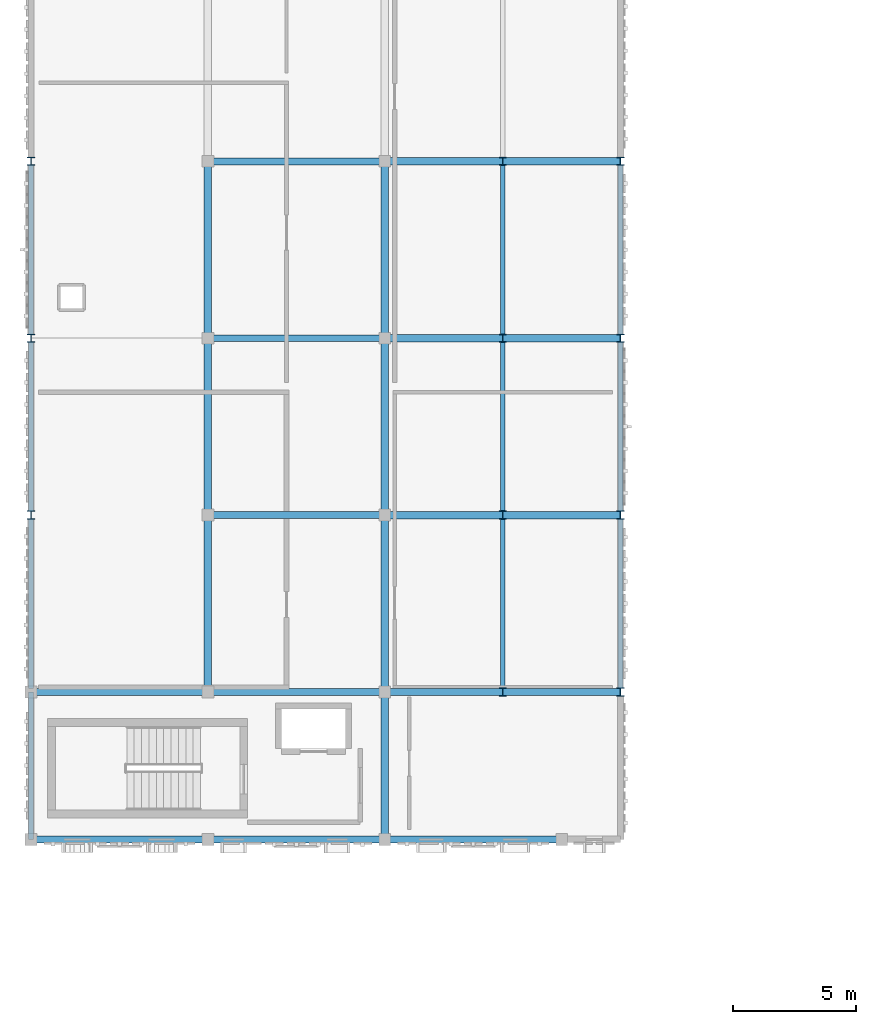
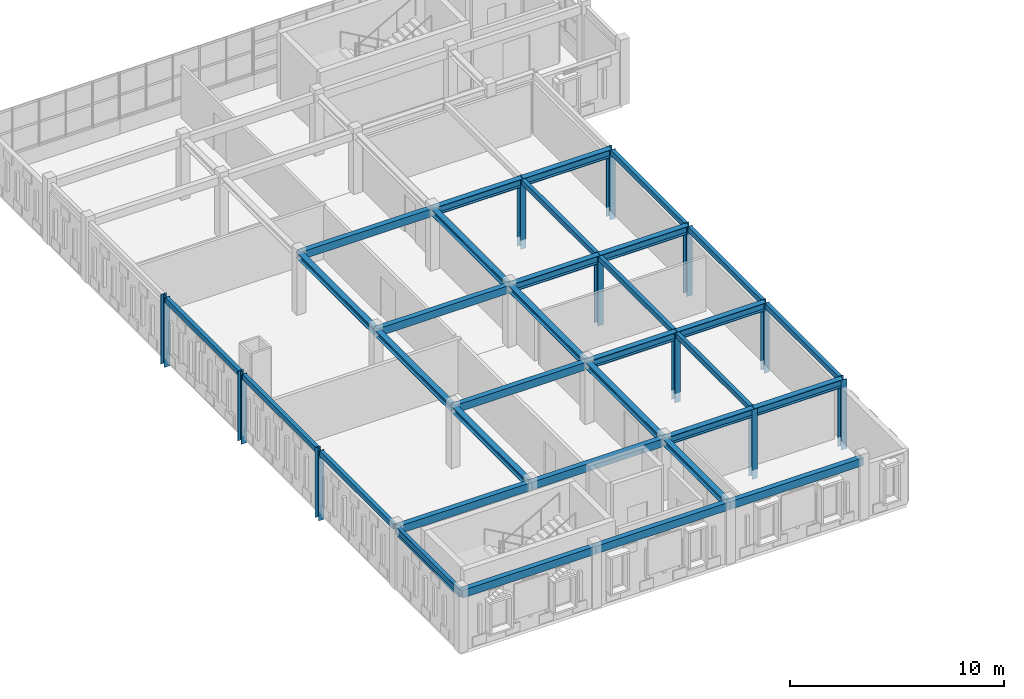
# One storey, part 3 of 53: 29 beams, 11 members.
"""IFC4 building model written with IfcOpenShell, lengths in metres."""

from ifc_helpers import new_model, si_unit, direction, frame, origin, origin_2d, place, context, subcontext, project, spatial, rectangle, hollow_rectangle, i_section, extrude, material, material_profile, profile_set, type_object, element, save


model = new_model("IFC4")

# Units and contexts
model_context = context("Model", 3, precision=1e-05, world=origin(), true_north=direction((0.0, 1.0)))
body_context = subcontext(model_context, "Body", "Model", "MODEL_VIEW")
ifc_project = project(units=[si_unit("LENGTHUNIT", "METRE"), si_unit("AREAUNIT", "SQUARE_METRE"), si_unit("VOLUMEUNIT", "CUBIC_METRE"), si_unit("PLANEANGLEUNIT", "RADIAN"), si_unit("MASSUNIT", "GRAM", prefix="KILO")], contexts=[model_context])

# Site, building, storey
site_placement = place(None, origin())
site = spatial("IfcSite", under=ifc_project, at=site_placement, CompositionType="ELEMENT")
building_placement = place(site_placement, origin())
building = spatial("IfcBuilding", under=site, at=building_placement, Name="Nzembalo Square Collegiate School", CompositionType="ELEMENT")
storey_placement = place(building_placement, frame((0.0, 0.0, 13.60009765625)))
storey = spatial("IfcBuildingStorey", under=building, at=storey_placement, Name="L03", CompositionType="ELEMENT", Elevation=13.60009765625)

# Beams
ifc_material_1 = material(Name="Steel S355", Category="steel")
ifc_material_profile_1 = material_profile(ifc_material_1, i_section(OverallWidth=0.300048828125, OverallDepth=0.449951171875, WebThickness=0.013916015625, FlangeThickness=0.02587890625, at=origin_2d()), Name="HEB 450")
ifc_profile_set_1 = profile_set([ifc_material_profile_1], Name="Steel S355")
beam_type_1 = type_object("IfcBeamType", Name="B08", PredefinedType="BEAM", material=ifc_profile_set_1)
for number, where, z_axis, x_axis, name in (
    (1, (22.800048828125, 50.39990234375, 3.22998046875), (1.0, 0.0, 0.0), (0.0, 1.0, 0.0), "Cantilever girder B08 4A L03"),
    (2, (22.800048828125, 57.60009765625, 3.22998046875), (1.0, 0.0, 0.0), (0.0, 1.0, 0.0), "Cantilever girder B08 4A L03"),
    (3, (22.800048828125, 64.800048828125, 3.22998046875), (1.0, 0.0, 0.0), (0.0, 1.0, 0.0), "Cantilever girder B08 4A L03"),
    (4, (22.800048828125, 72.0, 3.22998046875), (1.0, 0.0, 0.0), (0.0, 1.0, 0.0), "Cantilever girder B08 4A L03"),
):
    element("IfcBeam", number, at=place(storey_placement, frame(where, z_axis=z_axis, x_axis=x_axis)), inside=storey, type_object=beam_type_1, Name=name, PredefinedType="BEAM", context=body_context, shape_type="SweptSolid", body=[
        extrude(i_section(OverallWidth=0.300048828125, OverallDepth=0.449951171875, WebThickness=0.013916015625, FlangeThickness=0.02587890625, at=origin_2d()), origin(), (0.0, 0.0, 1.0), 9.599853515625),
    ])
ifc_material_2 = material(Name="Steel S355", Category="steel")
ifc_material_profile_2 = material_profile(ifc_material_2, i_section(OverallWidth=0.18994140625, OverallDepth=0.449951171875, WebThickness=0.009521484375, FlangeThickness=0.0146484375, at=origin_2d()), Name="IPE 450")
ifc_profile_set_2 = profile_set([ifc_material_profile_2], Name="Steel S355")
beam_type_2 = type_object("IfcBeamType", Name="B09", PredefinedType="BEAM", material=ifc_profile_set_2)
beam_1_placement = place(storey_placement, frame((8.39990234375, 44.39990234375, 3.22998046875), z_axis=(0.0, 1.0, 0.0), x_axis=(-1.0, 0.0, 0.0)))
element("IfcBeam", 5, at=beam_1_placement, inside=storey, type_object=beam_type_2, Name="Beam B09 L03", PredefinedType="BEAM", context=body_context, shape_type="SweptSolid", body=[
    extrude(i_section(OverallWidth=0.18994140625, OverallDepth=0.449951171875, WebThickness=0.009521484375, FlangeThickness=0.0146484375, at=origin_2d()), origin(), (0.0, 0.0, 1.0), 6.0),
])
ifc_material_3 = material(Name="Steel S355", Category="steel")
ifc_material_profile_3 = material_profile(ifc_material_3, i_section(OverallWidth=0.300048828125, OverallDepth=0.35009765625, WebThickness=0.010009765625, FlangeThickness=0.017578125, at=origin_2d()), Name="HEA 360")
ifc_profile_set_3 = profile_set([ifc_material_profile_3], Name="Steel S355")
beam_type_3 = type_object("IfcBeamType", Name="B12", PredefinedType="BEAM", material=ifc_profile_set_3)
beam_2_placement = place(storey_placement, frame((15.60009765625, 50.39990234375, 3.27978515625), z_axis=(0.0, 1.0, 0.0), x_axis=(-1.0, 0.0, 0.0)))
element("IfcBeam", 6, at=beam_2_placement, inside=storey, type_object=beam_type_3, Name="Beam B12 L03", PredefinedType="BEAM", context=body_context, shape_type="SweptSolid", body=[
    extrude(i_section(OverallWidth=0.300048828125, OverallDepth=0.35009765625, WebThickness=0.010009765625, FlangeThickness=0.017578125, at=origin_2d()), origin(), (0.0, 0.0, 1.0), 7.2001953125),
])
for number, where, z_axis, x_axis, name in (
    (7, (15.60009765625, 57.60009765625, 3.27978515625), (0.0, 1.0, 0.0), (-1.0, 0.0, 0.0), "Beam B12 L03"),
    (8, (15.60009765625, 64.800048828125, 3.27978515625), (0.0, 1.0, 0.0), (-1.0, 0.0, 0.0), "Beam B12 L03"),
):
    element("IfcBeam", number, at=place(storey_placement, frame(where, z_axis=z_axis, x_axis=x_axis)), inside=storey, type_object=beam_type_3, Name=name, PredefinedType="BEAM", context=body_context, shape_type="SweptSolid", body=[
        extrude(i_section(OverallWidth=0.300048828125, OverallDepth=0.35009765625, WebThickness=0.010009765625, FlangeThickness=0.017578125, at=origin_2d()), origin(), (0.0, 0.0, 1.0), 7.199951171875),
    ])
beam_3_placement = place(storey_placement, frame((22.800048828125, 44.39990234375, 3.27978515625), z_axis=(0.0, 1.0, 0.0), x_axis=(-1.0, 0.0, 0.0)))
element("IfcBeam", 9, at=beam_3_placement, inside=storey, type_object=beam_type_3, Name="Beam B12 L03", PredefinedType="BEAM", context=body_context, shape_type="SweptSolid", body=[
    extrude(i_section(OverallWidth=0.300048828125, OverallDepth=0.35009765625, WebThickness=0.010009765625, FlangeThickness=0.017578125, at=origin_2d()), origin(), (0.0, 0.0, 1.0), 6.0),
])
beam_4_placement = place(storey_placement, frame((22.800048828125, 50.39990234375, 3.27978515625), z_axis=(0.0, 1.0, 0.0), x_axis=(-1.0, 0.0, 0.0)))
element("IfcBeam", 10, at=beam_4_placement, inside=storey, type_object=beam_type_3, Name="Beam B12 L03", PredefinedType="BEAM", context=body_context, shape_type="SweptSolid", body=[
    extrude(i_section(OverallWidth=0.300048828125, OverallDepth=0.35009765625, WebThickness=0.010009765625, FlangeThickness=0.017578125, at=origin_2d()), origin(), (0.0, 0.0, 1.0), 7.2001953125),
])
for number, where, z_axis, x_axis, name in (
    (11, (22.800048828125, 57.60009765625, 3.27978515625), (0.0, 1.0, 0.0), (-1.0, 0.0, 0.0), "Beam B12 L03"),
    (12, (22.800048828125, 64.800048828125, 3.27978515625), (0.0, 1.0, 0.0), (-1.0, 0.0, 0.0), "Beam B12 L03"),
):
    element("IfcBeam", number, at=place(storey_placement, frame(where, z_axis=z_axis, x_axis=x_axis)), inside=storey, type_object=beam_type_3, Name=name, PredefinedType="BEAM", context=body_context, shape_type="SweptSolid", body=[
        extrude(i_section(OverallWidth=0.300048828125, OverallDepth=0.35009765625, WebThickness=0.010009765625, FlangeThickness=0.017578125, at=origin_2d()), origin(), (0.0, 0.0, 1.0), 7.199951171875),
    ])
ifc_material_4 = material(Name="Glulam GL32h", Category="wood")
ifc_material_profile_4 = material_profile(ifc_material_4, rectangle(XDim=0.280029296875, YDim=0.43994140625, at=origin_2d()), Name="GL32h 280x440")
ifc_profile_set_4 = profile_set([ifc_material_profile_4], Name="Glulam GL32h")
beam_type_4 = type_object("IfcBeamType", Name="B14", PredefinedType="BEAM", material=ifc_profile_set_4)
beam_5_placement = place(storey_placement, frame((8.39990234375, 44.39990234375, 3.23486328125), z_axis=(1.0, 0.0, 0.0), x_axis=(0.0, 1.0, 0.0)))
element("IfcBeam", 13, at=beam_5_placement, inside=storey, type_object=beam_type_4, Name="Beam B14 L03", PredefinedType="BEAM", context=body_context, shape_type="SweptSolid", body=[
    extrude(rectangle(XDim=0.280029296875, YDim=0.43994140625, at=origin_2d()), origin(), (0.0, 0.0, 1.0), 7.2001953125),
])
for number, where, z_axis, x_axis, name in (
    (14, (15.60009765625, 44.39990234375, 3.23486328125), (1.0, 0.0, 0.0), (0.0, 1.0, 0.0), "Beam B14 L03"),
    (15, (22.800048828125, 44.39990234375, 3.23486328125), (1.0, 0.0, 0.0), (0.0, 1.0, 0.0), "Beam B14 L03"),
):
    element("IfcBeam", number, at=place(storey_placement, frame(where, z_axis=z_axis, x_axis=x_axis)), inside=storey, type_object=beam_type_4, Name=name, PredefinedType="BEAM", context=body_context, shape_type="SweptSolid", body=[
        extrude(rectangle(XDim=0.280029296875, YDim=0.43994140625, at=origin_2d()), origin(), (0.0, 0.0, 1.0), 7.199951171875),
    ])
beam_6_placement = place(storey_placement, frame((8.39990234375, 50.39990234375, 3.23486328125), z_axis=(1.0, 0.0, 0.0), x_axis=(0.0, 1.0, 0.0)))
element("IfcBeam", 16, at=beam_6_placement, inside=storey, type_object=beam_type_4, Name="Beam B14 L03", PredefinedType="BEAM", context=body_context, shape_type="SweptSolid", body=[
    extrude(rectangle(XDim=0.280029296875, YDim=0.43994140625, at=origin_2d()), origin(), (0.0, 0.0, 1.0), 7.2001953125),
])
for number, where, z_axis, x_axis, name in (
    (17, (15.60009765625, 50.39990234375, 3.23486328125), (1.0, 0.0, 0.0), (0.0, 1.0, 0.0), "Beam B14 L03"),
    (18, (15.60009765625, 57.60009765625, 3.23486328125), (1.0, 0.0, 0.0), (0.0, 1.0, 0.0), "Beam B14 L03"),
    (19, (15.60009765625, 64.800048828125, 3.23486328125), (1.0, 0.0, 0.0), (0.0, 1.0, 0.0), "Beam B14 L03"),
    (20, (15.60009765625, 72.0, 3.23486328125), (1.0, 0.0, 0.0), (0.0, 1.0, 0.0), "Beam B14 L03"),
):
    element("IfcBeam", number, at=place(storey_placement, frame(where, z_axis=z_axis, x_axis=x_axis)), inside=storey, type_object=beam_type_4, Name=name, PredefinedType="BEAM", context=body_context, shape_type="SweptSolid", body=[
        extrude(rectangle(XDim=0.280029296875, YDim=0.43994140625, at=origin_2d()), origin(), (0.0, 0.0, 1.0), 7.199951171875),
    ])
ifc_material_5 = material(Name="Steel S355", Category="steel")
ifc_material_profile_5 = material_profile(ifc_material_5, hollow_rectangle(XDim=0.199951171875, YDim=0.300048828125, WallThickness=0.011962890625, at=origin_2d()), Name="RHS 300x200x12")
ifc_profile_set_5 = profile_set([ifc_material_profile_5], Name="Steel S355")
beam_type_5 = type_object("IfcBeamType", Name="SP03", PredefinedType="SPANDREL", material=ifc_profile_set_5)
for number, where, z_axis, x_axis, name in (
    (21, (8.39990234375, 50.550048828125, 3.304931640625), (0.0, 1.0, 0.0), (-1.0, 0.0, 0.0), "Cantilever edge beam SP03 4A L03"),
    (22, (32.39990234375, 50.550048828125, 3.304931640625), (0.0, 1.0, 0.0), (-1.0, 0.0, 0.0), "Cantilever edge beam SP03 4A L03"),
    (23, (27.60009765625, 50.550048828125, 3.304931640625), (0.0, 1.0, 0.0), (-1.0, 0.0, 0.0), "Cantilever edge beam SP03 4A L03"),
    (24, (8.39990234375, 57.75, 3.304931640625), (0.0, 1.0, 0.0), (-1.0, 0.0, 0.0), "Cantilever edge beam SP03 4A L03"),
    (25, (32.39990234375, 57.75, 3.304931640625), (0.0, 1.0, 0.0), (-1.0, 0.0, 0.0), "Cantilever edge beam SP03 4A L03"),
    (26, (27.60009765625, 57.75, 3.304931640625), (0.0, 1.0, 0.0), (-1.0, 0.0, 0.0), "Cantilever edge beam SP03 4A L03"),
):
    element("IfcBeam", number, at=place(storey_placement, frame(where, z_axis=z_axis, x_axis=x_axis)), inside=storey, type_object=beam_type_5, Name=name, PredefinedType="SPANDREL", context=body_context, shape_type="SweptSolid", body=[
        extrude(hollow_rectangle(XDim=0.199951171875, YDim=0.300048828125, WallThickness=0.011962890625, at=origin_2d()), origin(), (0.0, 0.0, 1.0), 6.89990234375),
    ])
for number, where, z_axis, x_axis, name in (
    (27, (8.39990234375, 64.949951171875, 3.304931640625), (0.0, 1.0, 0.0), (-1.0, 0.0, 0.0), "Cantilever edge beam SP03 4A L03"),
    (28, (32.39990234375, 64.949951171875, 3.304931640625), (0.0, 1.0, 0.0), (-1.0, 0.0, 0.0), "Cantilever edge beam SP03 4A L03"),
    (29, (27.60009765625, 64.949951171875, 3.304931640625), (0.0, 1.0, 0.0), (-1.0, 0.0, 0.0), "Cantilever edge beam SP03 4A L03"),
):
    element("IfcBeam", number, at=place(storey_placement, frame(where, z_axis=z_axis, x_axis=x_axis)), inside=storey, type_object=beam_type_5, Name=name, PredefinedType="SPANDREL", context=body_context, shape_type="SweptSolid", body=[
        extrude(hollow_rectangle(XDim=0.199951171875, YDim=0.300048828125, WallThickness=0.011962890625, at=origin_2d()), origin(), (0.0, 0.0, 1.0), 6.900146484375),
    ])

# Members
ifc_material_6 = material(Name="Steel S355", Category="steel")
ifc_material_profile_6 = material_profile(ifc_material_6, i_section(OverallWidth=0.300048828125, OverallDepth=0.340087890625, WebThickness=0.011962890625, FlangeThickness=0.021484375, at=origin_2d()), Name="HEB 340")
ifc_profile_set_6 = profile_set([ifc_material_profile_6], Name="Steel S355")
member_type = type_object("IfcMemberType", Name="TP03", PredefinedType="POST", material=ifc_profile_set_6)
for number, where, z_axis, x_axis, name in (
    (30, (27.60009765625, 50.39990234375, -0.52001953125), (0.0, 0.0, 1.0), (1.0, 0.0, 0.0), "TT-4A-01 upper pavilion post L03-3"),
    (31, (32.39990234375, 50.39990234375, -0.52001953125), (0.0, 0.0, 1.0), (1.0, 0.0, 0.0), "TT-4A-01 upper pavilion post L03-4"),
    (32, (8.39990234375, 57.60009765625, -0.52001953125), (0.0, 0.0, 1.0), (1.0, 0.0, 0.0), "TT-4A-02 upper pavilion post L03-0"),
    (33, (27.60009765625, 57.60009765625, -0.52001953125), (0.0, 0.0, 1.0), (1.0, 0.0, 0.0), "TT-4A-02 upper pavilion post L03-3"),
    (34, (32.39990234375, 57.60009765625, -0.52001953125), (0.0, 0.0, 1.0), (1.0, 0.0, 0.0), "TT-4A-02 upper pavilion post L03-4"),
    (35, (8.39990234375, 64.800048828125, -0.52001953125), (0.0, 0.0, 1.0), (1.0, 0.0, 0.0), "TT-4A-03 upper pavilion post L03-0"),
    (36, (27.60009765625, 64.800048828125, -0.52001953125), (0.0, 0.0, 1.0), (1.0, 0.0, 0.0), "TT-4A-03 upper pavilion post L03-3"),
    (37, (32.39990234375, 64.800048828125, -0.52001953125), (0.0, 0.0, 1.0), (1.0, 0.0, 0.0), "TT-4A-03 upper pavilion post L03-4"),
    (38, (8.39990234375, 72.0, -0.52001953125), (0.0, 0.0, 1.0), (1.0, 0.0, 0.0), "TT-4A-04 upper pavilion post L03-0"),
    (39, (27.60009765625, 72.0, -0.52001953125), (0.0, 0.0, 1.0), (1.0, 0.0, 0.0), "TT-4A-04 upper pavilion post L03-3"),
    (40, (32.39990234375, 72.0, -0.52001953125), (0.0, 0.0, 1.0), (1.0, 0.0, 0.0), "TT-4A-04 upper pavilion post L03-4"),
):
    element("IfcMember", number, at=place(storey_placement, frame(where, z_axis=z_axis, x_axis=x_axis)), inside=storey, type_object=member_type, Name=name, PredefinedType="POST", context=body_context, shape_type="SweptSolid", body=[
        extrude(i_section(OverallWidth=0.300048828125, OverallDepth=0.340087890625, WebThickness=0.011962890625, FlangeThickness=0.021484375, at=origin_2d()), origin(), (0.0, 0.0, 1.0), 3.974853515625),
    ])

save(model, "model.ifc")
